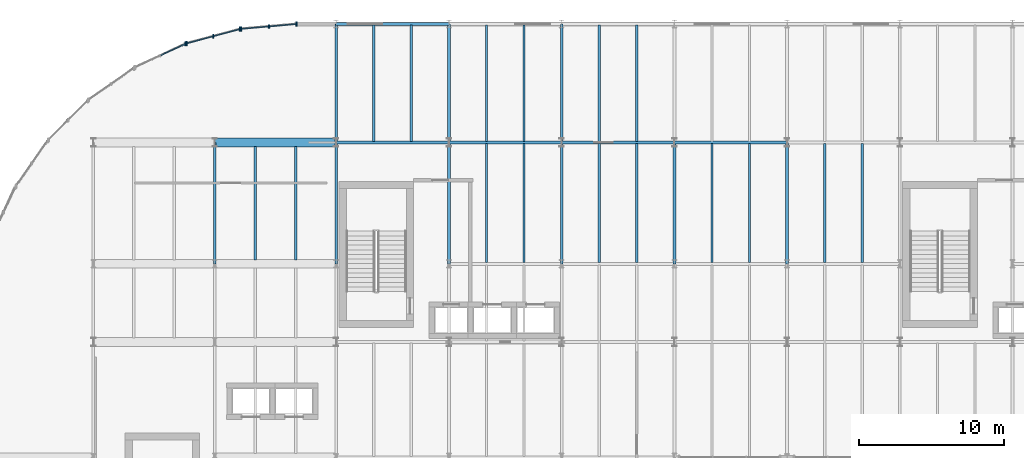
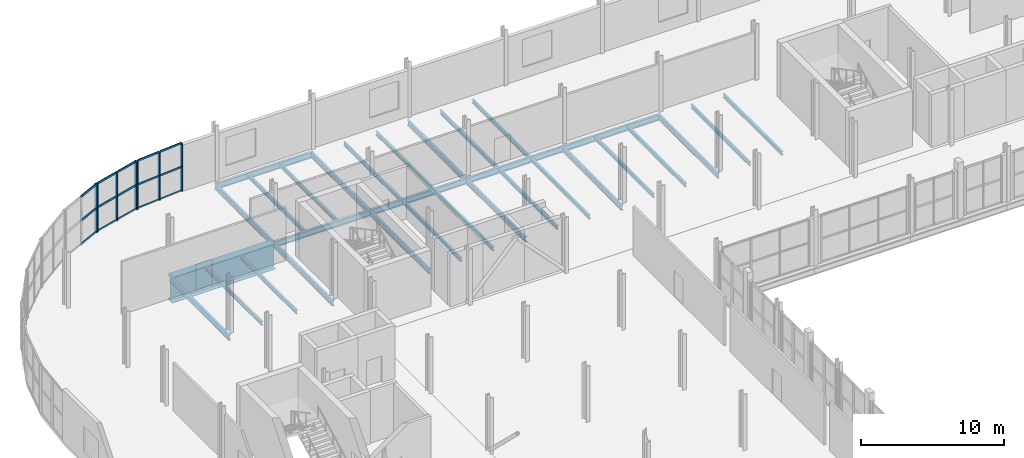
# One storey, part 27 of 63: 31 beams, 22 members, 3 elements without a shape of their own.
"""IFC4 building model written with IfcOpenShell, lengths in metres."""

import ifcopenshell
import ifcopenshell.guid

model = None  # the IFC model being written
_history = None  # IfcOwnerHistory: only IFC2X3 demands one
_inside = {}  # id of a spatial element -> (the spatial element, [elements in it])
_under = {}  # id of a project, library or spatial element -> (it, [spatial elements below it])
_declared = {}  # id of a project -> (the project, [libraries it declares])
_typed = {}  # id of a type object -> (the type object, [elements of that type])
_made_of = {}  # id of a material, layer set ... -> (it, [elements and type objects made of it])


def new_model(schema):
    """Start an empty IFC model of exactly this schema.

    Asked for "IFC4X3", IfcOpenShell would pick the latest addendum, in which some entities
    have other attributes; the version numbers below select the first issue.
    IFC2X3 requires an IfcOwnerHistory on every rooted entity: one is made here for all.
    """
    global model, _history
    if schema == "IFC4X3":
        model = ifcopenshell.file(schema_version=(4, 3, 0, 0))
    else:
        model = ifcopenshell.file(schema=schema)
    _inside.clear()
    _under.clear()
    _declared.clear()
    _typed.clear()
    _made_of.clear()
    _history = None
    if model.schema == "IFC2X3":
        org = make("IfcOrganization", Name="unknown")
        user = make(
            "IfcPersonAndOrganization",
            ThePerson=make("IfcPerson", FamilyName="unknown"),
            TheOrganization=org,
        )
        app = make(
            "IfcApplication",
            ApplicationDeveloper=org,
            Version="unknown",
            ApplicationFullName="unknown",
            ApplicationIdentifier="unknown",
        )
        _history = make(
            "IfcOwnerHistory",
            OwningUser=user,
            OwningApplication=app,
            ChangeAction="ADDED",
            CreationDate=0,
        )
    return model


def make(cls, **values):
    """One entity of the class cls with the attributes given. An attribute that is None is left unset."""
    return model.create_entity(
        cls, **{name: value for name, value in values.items() if value is not None}
    )


def rooted(cls, **values):
    """An entity with a GlobalId (a new one), such as an element, a storey or a relation."""
    return make(cls, GlobalId=ifcopenshell.guid.new(), OwnerHistory=_history, **values)


def si_unit(unit_type, name, prefix=None):
    """IfcSIUnit, for example si_unit("LENGTHUNIT", "METRE", prefix="MILLI")."""
    return make("IfcSIUnit", UnitType=unit_type, Prefix=prefix, Name=name)


def assignment(units):
    """IfcUnitAssignment: the units of a project."""
    return None if units is None else make("IfcUnitAssignment", Units=units)


def point(xyz):
    """IfcCartesianPoint."""
    return None if xyz is None else make("IfcCartesianPoint", Coordinates=xyz)


def direction(xyz):
    """IfcDirection."""
    return None if xyz is None else make("IfcDirection", DirectionRatios=xyz)


def frame(location, z_axis=None, x_axis=None):
    """IfcAxis2Placement3D, a coordinate frame: its origin and axes. An axis left out is left unset."""
    return make(
        "IfcAxis2Placement3D",
        Location=point(location),
        Axis=direction(z_axis),
        RefDirection=direction(x_axis),
    )


def frame_2d(location, x_axis=None):
    """IfcAxis2Placement2D, a coordinate frame in the plane: its origin and x axis."""
    return make(
        "IfcAxis2Placement2D", Location=point(location), RefDirection=direction(x_axis)
    )


def origin():
    """The frame at (0, 0, 0) with its axes left unset."""
    return frame((0.0, 0.0, 0.0))


def origin_2d():
    """The frame at (0, 0) in the plane with its x axis left unset."""
    return frame_2d((0.0, 0.0))


def place(relative_to, where):
    """IfcLocalPlacement: puts the frame where relative to a parent placement (None: the world)."""
    return make(
        "IfcLocalPlacement", PlacementRelTo=relative_to, RelativePlacement=where
    )


def context(
    kind, dimensions, precision=None, world=None, true_north=None, identifier=None
):
    """IfcGeometricRepresentationContext, for example the 3D "Model" context."""
    return make(
        "IfcGeometricRepresentationContext",
        ContextIdentifier=identifier,
        ContextType=kind,
        CoordinateSpaceDimension=dimensions,
        Precision=precision,
        WorldCoordinateSystem=world,
        TrueNorth=true_north,
    )


def subcontext(parent, identifier, kind, view, scale=None):
    """IfcGeometricRepresentationSubContext, for example "Body" below "Model"."""
    return make(
        "IfcGeometricRepresentationSubContext",
        ContextIdentifier=identifier,
        ContextType=kind,
        ParentContext=parent,
        TargetScale=scale,
        TargetView=view,
    )


def project(units=None, contexts=None):
    """IfcProject with its units and contexts."""
    return rooted(
        "IfcProject",
        Name="project",
        RepresentationContexts=contexts,
        UnitsInContext=assignment(units),
    )


def spatial(cls, under=None, at=None, **own):
    """A site, building, storey or space (cls), placed at a placement, below another one or the project."""
    s = rooted(cls, ObjectPlacement=at, **own)
    if under is not None:
        _under.setdefault(under.id(), (under, []))[1].append(s)
    return s


def profile(cls, at=None, kind="AREA", **sizes):
    """A parametric profile (cls). Its sizes go by their IFC names, for example OverallWidth=200.0."""
    return make(cls, ProfileType=kind, Position=at, **sizes)


def rectangle(**sizes):
    """IfcRectangleProfileDef."""
    return profile("IfcRectangleProfileDef", **sizes)


def i_section(**sizes):
    """IfcIShapeProfileDef."""
    return profile("IfcIShapeProfileDef", **sizes)


def extrude(swept, where, along, depth):
    """IfcExtrudedAreaSolid: the profile swept, set in the frame where, extruded along a direction by depth."""
    return make(
        "IfcExtrudedAreaSolid",
        SweptArea=swept,
        Position=where,
        ExtrudedDirection=direction(along),
        Depth=depth,
    )


def shape(context_of_items, identifier, shape_type, items):
    """IfcShapeRepresentation: the items that make up one representation, for example the "Body"."""
    return make(
        "IfcShapeRepresentation",
        ContextOfItems=context_of_items,
        RepresentationIdentifier=identifier,
        RepresentationType=shape_type,
        Items=items,
    )


def material(Name=None, Category=None):
    """IfcMaterial."""
    return make("IfcMaterial", Name=Name, Category=Category)


def layer(
    of_material, thickness, ventilated=None, Name=None, Category=None, Priority=None
):
    """IfcMaterialLayer: one layer of a wall or slab, of a material (None: an air gap)."""
    return make(
        "IfcMaterialLayer",
        Material=of_material,
        LayerThickness=thickness,
        IsVentilated=ventilated,
        Name=Name,
        Category=Category,
        Priority=Priority,
    )


def layer_set(layers, Name=None):
    """IfcMaterialLayerSet."""
    return make("IfcMaterialLayerSet", MaterialLayers=layers, LayerSetName=Name)


def material_profile(
    of_material, cross_section, Name=None, Category=None, Priority=None
):
    """IfcMaterialProfile: a cross section and its material."""
    return make(
        "IfcMaterialProfile",
        Name=Name,
        Material=of_material,
        Profile=cross_section,
        Priority=Priority,
        Category=Category,
    )


def profile_set(profiles, Name=None, composite=None):
    """IfcMaterialProfileSet."""
    return make(
        "IfcMaterialProfileSet",
        Name=Name,
        MaterialProfiles=profiles,
        CompositeProfile=composite,
    )


def made_of(thing, what):
    """Note that an element or type object is made of a material, layer set ...; save() writes the relation."""
    if what is not None:
        _made_of.setdefault(what.id(), (what, []))[1].append(thing)
    return thing


def type_object(cls, material=None, **own):
    """A type object (cls), such as IfcWallType, which elements share."""
    return made_of(rooted(cls, **own), material)


def element(
    cls,
    number,
    at=None,
    inside=None,
    cuts=None,
    type_object=None,
    material=None,
    context=None,
    identifier="Body",
    shape_type=None,
    held_by="IfcProductDefinitionShape",
    body=None,
    shapes=None,
    **own,
):
    """One element of the class cls, such as IfcWall. Its Tag is "e" and its number.

    at: its placement. inside: the storey or other place that contains it. cuts: it is an
    opening in that element (IfcRelVoidsElement). A single representation is given by context,
    identifier, shape_type and body (its items); several are given by shapes. held_by: the class
    of the entity that holds the representations. save() writes the other relations.
    """
    e = rooted(cls, Tag="e%d" % number, ObjectPlacement=at, **own)
    if body is not None:
        shapes = [shape(context, identifier, shape_type, body)]
    if shapes is not None:
        e.Representation = make(held_by, Representations=shapes)
    if inside is not None:
        _inside.setdefault(inside.id(), (inside, []))[1].append(e)
    if cuts is not None:
        rooted(
            "IfcRelVoidsElement", RelatingBuildingElement=cuts, RelatedOpeningElement=e
        )
    if type_object is not None:
        _typed.setdefault(type_object.id(), (type_object, []))[1].append(e)
    return made_of(e, material)


def aggregate(whole, parts):
    """IfcRelAggregates: a whole, such as a stair, and the parts it consists of."""
    return rooted("IfcRelAggregates", RelatingObject=whole, RelatedObjects=parts)


def save(model, path):
    """Write the relations noted so far, then the file.

    IfcRelAggregates (storeys below a building ...), IfcRelContainedInSpatialStructure (elements
    in a storey), IfcRelDefinesByType, IfcRelAssociatesMaterial and IfcRelDeclares: one each for
    every whole, place, type object, material and project.
    """
    for whole, parts in _under.values():
        aggregate(whole, parts)
    for where, things in _inside.values():
        rooted(
            "IfcRelContainedInSpatialStructure",
            RelatedElements=things,
            RelatingStructure=where,
        )
    for kind, things in _typed.values():
        rooted("IfcRelDefinesByType", RelatedObjects=things, RelatingType=kind)
    for what, things in _made_of.values():
        rooted("IfcRelAssociatesMaterial", RelatedObjects=things, RelatingMaterial=what)
    for by, libraries in _declared.values():
        rooted("IfcRelDeclares", RelatingContext=by, RelatedDefinitions=libraries)
    model.write(path)


model = new_model("IFC4")

# Units and contexts
model_context = context("Model", 3, precision=1e-05, world=origin(), true_north=direction((0.0, 1.0)))
body_context = subcontext(model_context, "Body", "Model", "MODEL_VIEW")
ifc_project = project(units=[si_unit("LENGTHUNIT", "METRE"), si_unit("AREAUNIT", "SQUARE_METRE"), si_unit("VOLUMEUNIT", "CUBIC_METRE"), si_unit("PLANEANGLEUNIT", "RADIAN"), si_unit("MASSUNIT", "GRAM", prefix="KILO")], contexts=[model_context])

# Site, building, storey
site_placement = place(None, origin())
site = spatial("IfcSite", under=ifc_project, at=site_placement, CompositionType="ELEMENT")
building_placement = place(site_placement, origin())
building = spatial("IfcBuilding", under=site, at=building_placement, Name="Sefraquen Railside Congress Hotel", CompositionType="ELEMENT")
storey_placement = place(building_placement, frame((0.0, 0.0, 11.39990234375)))
storey = spatial("IfcBuildingStorey", under=building, at=storey_placement, Name="L02", CompositionType="ELEMENT", Elevation=11.39990234375)

# Beams
ifc_material_1 = material(Name="Steel S355JR", Category="steel")
ifc_material_profile_1 = material_profile(ifc_material_1, i_section(OverallWidth=0.18994140625, OverallDepth=0.449951171875, WebThickness=0.009521484375, FlangeThickness=0.0146484375, FilletRadius=0.02099609375, at=origin_2d()), Name="IPE 450")
ifc_profile_set_1 = profile_set([ifc_material_profile_1], Name="Steel S355JR")
beam_type_1 = type_object("IfcBeamType", Name="TB-BM-450", PredefinedType="BEAM", material=ifc_profile_set_1)
for number, where, z_axis, x_axis, name in (
    (1, (16.800048828125, 101.39990234375, -0.574951171875), (0.0, 1.0, 0.0), (-1.0, 0.0, 0.0), "Floor beam BM-L02-0847"),
    (2, (25.199951171875, 101.39990234375, -0.574951171875), (0.0, 1.0, 0.0), (-1.0, 0.0, 0.0), "Floor beam BM-L02-0854"),
):
    element("IfcBeam", number, at=place(storey_placement, frame(where, z_axis=z_axis, x_axis=x_axis)), inside=storey, type_object=beam_type_1, Name=name, PredefinedType="BEAM", context=body_context, shape_type="SweptSolid", body=[
        extrude(i_section(OverallWidth=0.18994140625, OverallDepth=0.449951171875, WebThickness=0.009521484375, FlangeThickness=0.0146484375, FilletRadius=0.02099609375, at=origin_2d()), origin(), (0.0, 0.0, 1.0), 8.400146484375),
    ])
beam_1_placement = place(storey_placement, frame((25.199951171875, 109.800048828125, -0.574951171875), z_axis=(0.0, 1.0, 0.0), x_axis=(-1.0, 0.0, 0.0)))
element("IfcBeam", 3, at=beam_1_placement, inside=storey, type_object=beam_type_1, Name="Floor beam BM-L02-0855", PredefinedType="BEAM", context=body_context, shape_type="SweptSolid", body=[
    extrude(i_section(OverallWidth=0.18994140625, OverallDepth=0.449951171875, WebThickness=0.009521484375, FlangeThickness=0.0146484375, FilletRadius=0.02099609375, at=origin_2d()), origin(), (0.0, 0.0, 1.0), 8.199951171875),
])
beam_2_placement = place(storey_placement, frame((33.0, 101.39990234375, -0.574951171875), z_axis=(0.0, 1.0, 0.0), x_axis=(-1.0, 0.0, 0.0)))
element("IfcBeam", 4, at=beam_2_placement, inside=storey, type_object=beam_type_1, Name="Floor beam BM-L02-0866", PredefinedType="BEAM", context=body_context, shape_type="SweptSolid", body=[
    extrude(i_section(OverallWidth=0.18994140625, OverallDepth=0.449951171875, WebThickness=0.009521484375, FlangeThickness=0.0146484375, FilletRadius=0.02099609375, at=origin_2d()), origin(), (0.0, 0.0, 1.0), 8.400146484375),
])
beam_3_placement = place(storey_placement, frame((33.0, 109.800048828125, -0.574951171875), z_axis=(0.0, 1.0, 0.0), x_axis=(-1.0, 0.0, 0.0)))
element("IfcBeam", 5, at=beam_3_placement, inside=storey, type_object=beam_type_1, Name="Floor beam BM-L02-0867", PredefinedType="BEAM", context=body_context, shape_type="SweptSolid", body=[
    extrude(i_section(OverallWidth=0.18994140625, OverallDepth=0.449951171875, WebThickness=0.009521484375, FlangeThickness=0.0146484375, FilletRadius=0.02099609375, at=origin_2d()), origin(), (0.0, 0.0, 1.0), 8.199951171875),
])
beam_4_placement = place(storey_placement, frame((40.800048828125, 101.39990234375, -0.574951171875), z_axis=(0.0, 1.0, 0.0), x_axis=(-1.0, 0.0, 0.0)))
element("IfcBeam", 6, at=beam_4_placement, inside=storey, type_object=beam_type_1, Name="Floor beam BM-L02-0878", PredefinedType="BEAM", context=body_context, shape_type="SweptSolid", body=[
    extrude(i_section(OverallWidth=0.18994140625, OverallDepth=0.449951171875, WebThickness=0.009521484375, FlangeThickness=0.0146484375, FilletRadius=0.02099609375, at=origin_2d()), origin(), (0.0, 0.0, 1.0), 8.400146484375),
])
beam_5_placement = place(storey_placement, frame((40.800048828125, 109.800048828125, -0.574951171875), z_axis=(0.0, 1.0, 0.0), x_axis=(-1.0, 0.0, 0.0)))
element("IfcBeam", 7, at=beam_5_placement, inside=storey, type_object=beam_type_1, Name="Floor beam BM-L02-0879", PredefinedType="BEAM", context=body_context, shape_type="SweptSolid", body=[
    extrude(i_section(OverallWidth=0.18994140625, OverallDepth=0.449951171875, WebThickness=0.009521484375, FlangeThickness=0.0146484375, FilletRadius=0.02099609375, at=origin_2d()), origin(), (0.0, 0.0, 1.0), 8.199951171875),
])
for number, where, z_axis, x_axis, name in (
    (8, (48.60009765625, 101.39990234375, -0.574951171875), (0.0, 1.0, 0.0), (-1.0, 0.0, 0.0), "Floor beam BM-L02-0887"),
    (9, (56.39990234375, 101.39990234375, -0.574951171875), (0.0, 1.0, 0.0), (-1.0, 0.0, 0.0), "Floor beam BM-L02-0891"),
):
    element("IfcBeam", number, at=place(storey_placement, frame(where, z_axis=z_axis, x_axis=x_axis)), inside=storey, type_object=beam_type_1, Name=name, PredefinedType="BEAM", context=body_context, shape_type="SweptSolid", body=[
        extrude(i_section(OverallWidth=0.18994140625, OverallDepth=0.449951171875, WebThickness=0.009521484375, FlangeThickness=0.0146484375, FilletRadius=0.02099609375, at=origin_2d()), origin(), (0.0, 0.0, 1.0), 8.400146484375),
    ])
ifc_material_profile_2 = material_profile(ifc_material_1, i_section(OverallWidth=0.199951171875, OverallDepth=0.5, WebThickness=0.01025390625, FlangeThickness=0.01611328125, FilletRadius=0.02099609375, at=origin_2d()), Name="IPE 500")
ifc_profile_set_2 = profile_set([ifc_material_profile_2], Name="Steel S355JR")
beam_type_2 = type_object("IfcBeamType", Name="TB-BM-500", PredefinedType="BEAM", material=ifc_profile_set_2)
for number, where, z_axis, x_axis, name in (
    (10, (25.199951171875, 109.800048828125, -0.599853515625), (1.0, 0.0, 0.0), (0.0, 1.0, 0.0), "Primary girder BM-L02-0809"),
    (11, (33.0, 109.800048828125, -0.599853515625), (1.0, 0.0, 0.0), (0.0, 1.0, 0.0), "Primary girder BM-L02-0810"),
    (12, (40.800048828125, 109.800048828125, -0.599853515625), (1.0, 0.0, 0.0), (0.0, 1.0, 0.0), "Primary girder BM-L02-0811"),
):
    element("IfcBeam", number, at=place(storey_placement, frame(where, z_axis=z_axis, x_axis=x_axis)), inside=storey, type_object=beam_type_2, Name=name, PredefinedType="BEAM", context=body_context, shape_type="SweptSolid", body=[
        extrude(i_section(OverallWidth=0.199951171875, OverallDepth=0.5, WebThickness=0.01025390625, FlangeThickness=0.01611328125, FilletRadius=0.02099609375, at=origin_2d()), origin(), (0.0, 0.0, 1.0), 7.800048828125),
    ])
beam_6_placement = place(storey_placement, frame((48.60009765625, 109.800048828125, -0.599853515625), z_axis=(1.0, 0.0, 0.0), x_axis=(0.0, 1.0, 0.0)))
element("IfcBeam", 13, at=beam_6_placement, inside=storey, type_object=beam_type_2, Name="Primary girder BM-L02-0812", PredefinedType="BEAM", context=body_context, shape_type="SweptSolid", body=[
    extrude(i_section(OverallWidth=0.199951171875, OverallDepth=0.5, WebThickness=0.01025390625, FlangeThickness=0.01611328125, FilletRadius=0.02099609375, at=origin_2d()), origin(), (0.0, 0.0, 1.0), 7.7998046875),
])
beam_7_placement = place(storey_placement, frame((25.199951171875, 118.0, -0.599853515625), z_axis=(1.0, 0.0, 0.0), x_axis=(0.0, 1.0, 0.0)))
element("IfcBeam", 14, at=beam_7_placement, inside=storey, type_object=beam_type_2, Name="Primary girder BM-L02-0821", PredefinedType="BEAM", context=body_context, shape_type="SweptSolid", body=[
    extrude(i_section(OverallWidth=0.199951171875, OverallDepth=0.5, WebThickness=0.01025390625, FlangeThickness=0.01611328125, FilletRadius=0.02099609375, at=origin_2d()), origin(), (0.0, 0.0, 1.0), 7.800048828125),
])
ifc_material_profile_3 = material_profile(ifc_material_1, i_section(OverallWidth=0.159912109375, OverallDepth=0.330078125, WebThickness=0.007568359375, FlangeThickness=0.011474609375, FilletRadius=0.01806640625, at=origin_2d()), Name="IPE 330")
ifc_profile_set_3 = profile_set([ifc_material_profile_3], Name="Steel S355JR")
beam_type_3 = type_object("IfcBeamType", Name="TB-JST-330", PredefinedType="JOIST", material=ifc_profile_set_3)
for number, where, z_axis, x_axis, name in (
    (15, (19.60009765625, 101.679931640625, -0.514892578125), (0.0, 1.0, 0.0), (-1.0, 0.0, 0.0), "Composite floor joist BM-L02-J0446"),
    (16, (22.39990234375, 101.679931640625, -0.514892578125), (0.0, 1.0, 0.0), (-1.0, 0.0, 0.0), "Composite floor joist BM-L02-J0447"),
):
    element("IfcBeam", number, at=place(storey_placement, frame(where, z_axis=z_axis, x_axis=x_axis)), inside=storey, type_object=beam_type_3, Name=name, PredefinedType="JOIST", context=body_context, shape_type="SweptSolid", body=[
        extrude(i_section(OverallWidth=0.159912109375, OverallDepth=0.330078125, WebThickness=0.007568359375, FlangeThickness=0.011474609375, FilletRadius=0.01806640625, at=origin_2d()), origin(), (0.0, 0.0, 1.0), 7.840087890625),
    ])
for number, where, z_axis, x_axis, name in (
    (17, (27.800048828125, 109.8798828125, -0.514892578125), (0.0, 1.0, 0.0), (-1.0, 0.0, 0.0), "Composite floor joist BM-L02-J0456"),
    (18, (30.39990234375, 109.8798828125, -0.514892578125), (0.0, 1.0, 0.0), (-1.0, 0.0, 0.0), "Composite floor joist BM-L02-J0457"),
):
    element("IfcBeam", number, at=place(storey_placement, frame(where, z_axis=z_axis, x_axis=x_axis)), inside=storey, type_object=beam_type_3, Name=name, PredefinedType="JOIST", context=body_context, shape_type="SweptSolid", body=[
        extrude(i_section(OverallWidth=0.159912109375, OverallDepth=0.330078125, WebThickness=0.007568359375, FlangeThickness=0.011474609375, FilletRadius=0.01806640625, at=origin_2d()), origin(), (0.0, 0.0, 1.0), 8.0400390625),
    ])
for number, where, z_axis, x_axis, name in (
    (19, (35.60009765625, 101.47998046875, -0.514892578125), (0.0, 1.0, 0.0), (-1.0, 0.0, 0.0), "Composite floor joist BM-L02-J0478"),
    (20, (38.199951171875, 101.47998046875, -0.514892578125), (0.0, 1.0, 0.0), (-1.0, 0.0, 0.0), "Composite floor joist BM-L02-J0479"),
):
    element("IfcBeam", number, at=place(storey_placement, frame(where, z_axis=z_axis, x_axis=x_axis)), inside=storey, type_object=beam_type_3, Name=name, PredefinedType="JOIST", context=body_context, shape_type="SweptSolid", body=[
        extrude(i_section(OverallWidth=0.159912109375, OverallDepth=0.330078125, WebThickness=0.007568359375, FlangeThickness=0.011474609375, FilletRadius=0.01806640625, at=origin_2d()), origin(), (0.0, 0.0, 1.0), 8.239990234375),
    ])
for number, where, z_axis, x_axis, name in (
    (21, (35.60009765625, 109.8798828125, -0.514892578125), (0.0, 1.0, 0.0), (-1.0, 0.0, 0.0), "Composite floor joist BM-L02-J0480"),
    (22, (38.199951171875, 109.8798828125, -0.514892578125), (0.0, 1.0, 0.0), (-1.0, 0.0, 0.0), "Composite floor joist BM-L02-J0481"),
):
    element("IfcBeam", number, at=place(storey_placement, frame(where, z_axis=z_axis, x_axis=x_axis)), inside=storey, type_object=beam_type_3, Name=name, PredefinedType="JOIST", context=body_context, shape_type="SweptSolid", body=[
        extrude(i_section(OverallWidth=0.159912109375, OverallDepth=0.330078125, WebThickness=0.007568359375, FlangeThickness=0.011474609375, FilletRadius=0.01806640625, at=origin_2d()), origin(), (0.0, 0.0, 1.0), 8.0400390625),
    ])
for number, where, z_axis, x_axis, name in (
    (23, (43.39990234375, 101.47998046875, -0.514892578125), (0.0, 1.0, 0.0), (-1.0, 0.0, 0.0), "Composite floor joist BM-L02-J0496"),
    (24, (46.0, 101.47998046875, -0.514892578125), (0.0, 1.0, 0.0), (-1.0, 0.0, 0.0), "Composite floor joist BM-L02-J0497"),
):
    element("IfcBeam", number, at=place(storey_placement, frame(where, z_axis=z_axis, x_axis=x_axis)), inside=storey, type_object=beam_type_3, Name=name, PredefinedType="JOIST", context=body_context, shape_type="SweptSolid", body=[
        extrude(i_section(OverallWidth=0.159912109375, OverallDepth=0.330078125, WebThickness=0.007568359375, FlangeThickness=0.011474609375, FilletRadius=0.01806640625, at=origin_2d()), origin(), (0.0, 0.0, 1.0), 8.239990234375),
    ])
for number, where, z_axis, x_axis, name in (
    (25, (43.39990234375, 109.8798828125, -0.514892578125), (0.0, 1.0, 0.0), (-1.0, 0.0, 0.0), "Composite floor joist BM-L02-J0498"),
    (26, (46.0, 109.8798828125, -0.514892578125), (0.0, 1.0, 0.0), (-1.0, 0.0, 0.0), "Composite floor joist BM-L02-J0499"),
):
    element("IfcBeam", number, at=place(storey_placement, frame(where, z_axis=z_axis, x_axis=x_axis)), inside=storey, type_object=beam_type_3, Name=name, PredefinedType="JOIST", context=body_context, shape_type="SweptSolid", body=[
        extrude(i_section(OverallWidth=0.159912109375, OverallDepth=0.330078125, WebThickness=0.007568359375, FlangeThickness=0.011474609375, FilletRadius=0.01806640625, at=origin_2d()), origin(), (0.0, 0.0, 1.0), 8.0400390625),
    ])
for number, where, z_axis, x_axis, name in (
    (27, (51.199951171875, 101.47998046875, -0.514892578125), (0.0, 1.0, 0.0), (-1.0, 0.0, 0.0), "Composite floor joist BM-L02-J0504"),
    (28, (53.800048828125, 101.47998046875, -0.514892578125), (0.0, 1.0, 0.0), (-1.0, 0.0, 0.0), "Composite floor joist BM-L02-J0505"),
    (29, (59.0, 101.47998046875, -0.514892578125), (0.0, 1.0, 0.0), (-1.0, 0.0, 0.0), "Composite floor joist BM-L02-J0512"),
    (30, (61.60009765625, 101.47998046875, -0.514892578125), (0.0, 1.0, 0.0), (-1.0, 0.0, 0.0), "Composite floor joist BM-L02-J0513"),
):
    element("IfcBeam", number, at=place(storey_placement, frame(where, z_axis=z_axis, x_axis=x_axis)), inside=storey, type_object=beam_type_3, Name=name, PredefinedType="JOIST", context=body_context, shape_type="SweptSolid", body=[
        extrude(i_section(OverallWidth=0.159912109375, OverallDepth=0.330078125, WebThickness=0.007568359375, FlangeThickness=0.011474609375, FilletRadius=0.01806640625, at=origin_2d()), origin(), (0.0, 0.0, 1.0), 8.239990234375),
    ])
ifc_material_2 = material(Name="Steel S355J2", Category="steel")
ifc_material_profile_4 = material_profile(ifc_material_2, i_section(OverallWidth=0.60009765625, OverallDepth=2.199951171875, WebThickness=0.028076171875, FlangeThickness=0.050048828125, at=origin_2d()), Name="WG 2200x600")
ifc_profile_set_4 = profile_set([ifc_material_profile_4], Name="Steel S355J2")
beam_type_4 = type_object("IfcBeamType", Name="TB-TG-2200", PredefinedType="USERDEFINED", material=ifc_profile_set_4)
beam_8_placement = place(storey_placement, frame((16.800048828125, 109.800048828125, -1.449951171875), z_axis=(1.0, 0.0, 0.0), x_axis=(0.0, 1.0, 0.0)))
element("IfcBeam", 31, at=beam_8_placement, inside=storey, type_object=beam_type_4, Name="Transfer girder BM-L02-0808", ObjectType="TRANSFER GIRDER", PredefinedType="USERDEFINED", context=body_context, shape_type="SweptSolid", body=[
    extrude(i_section(OverallWidth=0.60009765625, OverallDepth=2.199951171875, WebThickness=0.028076171875, FlangeThickness=0.050048828125, at=origin_2d()), origin(), (0.0, 0.0, 1.0), 8.39990234375),
])

# Curtain wall, member
ifc_material_3 = material(Name="Thermally broken anodised aluminium and low-E double glazing", Category="aluminium")
ifc_layer_1 = layer(ifc_material_3, 0.199951171875)
ifc_layer_set_1 = layer_set([ifc_layer_1], Name="Thermally broken anodised aluminium and low-E double glazing")
curtain_wall_type_1 = type_object("IfcCurtainWallType", Name="TCW-UCW-19", PredefinedType="USERDEFINED", material=ifc_layer_set_1)
curtain_wall_1_placement = place(storey_placement, origin())
curtain_wall_1 = element("IfcCurtainWall", 32, at=curtain_wall_1_placement, inside=storey, type_object=curtain_wall_type_1, Name="Rotunda L02 curved curtain wall facet 1", ObjectType="UNITISED CURTAIN WALL", PredefinedType="USERDEFINED")
ifc_material_4 = material(Name="Thermally broken anodised aluminium 6063-T6", Category="aluminium")
ifc_material_profile_5 = material_profile(ifc_material_4, rectangle(XDim=0.0849609375, YDim=0.260009765625, at=origin_2d()), Name="CWM 85x260")
ifc_profile_set_5 = profile_set([ifc_material_profile_5], Name="Thermally broken anodised aluminium 6063-T6")
member_type_1 = type_object("IfcMemberType", Name="TM-CWM-06", PredefinedType="MULLION", material=ifc_profile_set_5)
member_1_placement = place(storey_placement, frame((20.54638671875, 117.8291015625, 0.0), z_axis=(0.0, 0.0, 1.0), x_axis=(1.0, 0.0, 0.0)))
member_1 = element("IfcMember", 33, at=member_1_placement, type_object=member_type_1, Name="CW-L02-ROT-01 mullion 2", PredefinedType="MULLION", context=body_context, shape_type="SweptSolid", body=[
    extrude(rectangle(XDim=0.0849609375, YDim=0.260009765625, at=origin_2d()), origin(), (0.0, 0.0, 1.0), 4.070068359375),
])

ifc_layer_2 = layer(ifc_material_3, 0.199951171875)
ifc_layer_set_2 = layer_set([ifc_layer_2], Name="Thermally broken anodised aluminium and low-E double glazing")
curtain_wall_type_2 = type_object("IfcCurtainWallType", Name="TCW-UCW-20", PredefinedType="USERDEFINED", material=ifc_layer_set_2)
curtain_wall_2_placement = place(storey_placement, origin())
curtain_wall_2 = element("IfcCurtainWall", 34, at=curtain_wall_2_placement, inside=storey, type_object=curtain_wall_type_2, Name="Rotunda L02 curved curtain wall facet 2", ObjectType="UNITISED CURTAIN WALL", PredefinedType="USERDEFINED")
ifc_material_profile_6 = material_profile(ifc_material_4, rectangle(XDim=0.090087890625, YDim=0.280029296875, at=origin_2d()), Name="CWM 90x280")
ifc_profile_set_6 = profile_set([ifc_material_profile_6], Name="Thermally broken anodised aluminium 6063-T6")
member_type_2 = type_object("IfcMemberType", Name="TM-CWM-07", PredefinedType="MULLION", material=ifc_profile_set_6)
member_2_placement = place(storey_placement, frame((16.69873046875, 117.150634765625, 0.0), z_axis=(0.0, 0.0, 1.0), x_axis=(1.0, 0.0, 0.0)))
member_2 = element("IfcMember", 35, at=member_2_placement, type_object=member_type_2, Name="CW-L02-ROT-02 mullion 2", PredefinedType="MULLION", context=body_context, shape_type="SweptSolid", body=[
    extrude(rectangle(XDim=0.090087890625, YDim=0.280029296875, at=origin_2d()), origin(), (0.0, 0.0, 1.0), 4.070068359375),
])

# Member
ifc_material_profile_7 = material_profile(ifc_material_4, rectangle(XDim=0.094970703125, YDim=0.300048828125, at=origin_2d()), Name="CWM 95x300")
ifc_profile_set_7 = profile_set([ifc_material_profile_7], Name="Thermally broken anodised aluminium 6063-T6")
member_type_3 = type_object("IfcMemberType", Name="TM-CWM-08", PredefinedType="MULLION", material=ifc_profile_set_7)
member_3_placement = place(storey_placement, frame((22.460205078125, 117.99658203125, 0.0), z_axis=(0.0, 0.0, 1.0), x_axis=(1.0, 0.0, 0.0)))
member_3 = element("IfcMember", 36, at=member_3_placement, type_object=member_type_3, Name="CW-L02-ROT-01 mullion 1", PredefinedType="MULLION", context=body_context, shape_type="SweptSolid", body=[
    extrude(rectangle(XDim=0.094970703125, YDim=0.300048828125, at=origin_2d()), origin(), (0.0, 0.0, 1.0), 4.070068359375),
])

member_4_placement = place(storey_placement, frame((18.6328125, 117.66162109375, 0.0), z_axis=(0.0, 0.0, 1.0), x_axis=(1.0, 0.0, 0.0)))
member_4 = element("IfcMember", 37, at=member_4_placement, type_object=member_type_3, Name="CW-L02-ROT-01 mullion 3", PredefinedType="MULLION", context=body_context, shape_type="SweptSolid", body=[
    extrude(rectangle(XDim=0.094970703125, YDim=0.300048828125, at=origin_2d()), origin(), (0.0, 0.0, 1.0), 4.070068359375),
])

member_5_placement = place(storey_placement, frame((18.55419921875, 117.647705078125, 0.0), z_axis=(0.0, 0.0, 1.0), x_axis=(1.0, 0.0, 0.0)))
member_5 = element("IfcMember", 38, at=member_5_placement, type_object=member_type_3, Name="CW-L02-ROT-02 mullion 1", PredefinedType="MULLION", context=body_context, shape_type="SweptSolid", body=[
    extrude(rectangle(XDim=0.094970703125, YDim=0.300048828125, at=origin_2d()), origin(), (0.0, 0.0, 1.0), 4.070068359375),
])

member_6_placement = place(storey_placement, frame((14.843017578125, 116.653564453125, 0.0), z_axis=(0.0, 0.0, 1.0), x_axis=(1.0, 0.0, 0.0)))
member_6 = element("IfcMember", 39, at=member_6_placement, type_object=member_type_3, Name="CW-L02-ROT-02 mullion 3", PredefinedType="MULLION", context=body_context, shape_type="SweptSolid", body=[
    extrude(rectangle(XDim=0.094970703125, YDim=0.300048828125, at=origin_2d()), origin(), (0.0, 0.0, 1.0), 4.070068359375),
])

# Curtain wall, member
ifc_layer_3 = layer(ifc_material_3, 0.199951171875)
ifc_layer_set_3 = layer_set([ifc_layer_3], Name="Thermally broken anodised aluminium and low-E double glazing")
curtain_wall_type_3 = type_object("IfcCurtainWallType", Name="TCW-UCW-21", PredefinedType="USERDEFINED", material=ifc_layer_set_3)
curtain_wall_3_placement = place(storey_placement, origin())
curtain_wall_3 = element("IfcCurtainWall", 40, at=curtain_wall_3_placement, inside=storey, type_object=curtain_wall_type_3, Name="Rotunda L02 curved curtain wall facet 3", ObjectType="UNITISED CURTAIN WALL", PredefinedType="USERDEFINED")
member_7_placement = place(storey_placement, frame((14.768310546875, 116.626220703125, 0.0), z_axis=(0.0, 0.0, 1.0), x_axis=(1.0, 0.0, 0.0)))
member_7 = element("IfcMember", 41, at=member_7_placement, type_object=member_type_3, Name="CW-L02-ROT-03 mullion 1", PredefinedType="MULLION", context=body_context, shape_type="SweptSolid", body=[
    extrude(rectangle(XDim=0.094970703125, YDim=0.300048828125, at=origin_2d()), origin(), (0.0, 0.0, 1.0), 4.070068359375),
])

# Member
ifc_material_profile_8 = material_profile(ifc_material_4, rectangle(XDim=0.070068359375, YDim=0.14990234375, at=origin_2d()), Name="CWT 70x150")
ifc_profile_set_8 = profile_set([ifc_material_profile_8], Name="Thermally broken anodised aluminium 6063-T6")
member_type_4 = type_object("IfcMemberType", Name="TM-CWT-03", PredefinedType="USERDEFINED", material=ifc_profile_set_8)
member_8_placement = place(storey_placement, frame((22.415283203125, 117.99267578125, 0.0), z_axis=(-0.996190387898, -0.08720499447, 0.0), x_axis=(0.08720499447, -0.996190387898, 0.0)))
member_8 = element("IfcMember", 42, at=member_8_placement, type_object=member_type_4, Name="CW-L02-ROT-01 transom 1.1", ObjectType="TRANSOM", PredefinedType="USERDEFINED", context=body_context, shape_type="SweptSolid", body=[
    extrude(rectangle(XDim=0.070068359375, YDim=0.14990234375, at=origin_2d()), origin(), (0.0, 0.0, 1.0), 1.8310546875),
])

member_9_placement = place(storey_placement, frame((20.501708984375, 117.8251953125, 0.0), z_axis=(-0.996191401715, -0.087193412302, 0.0), x_axis=(0.087193412302, -0.996191401715, 0.0)))
member_9 = element("IfcMember", 43, at=member_9_placement, type_object=member_type_4, Name="CW-L02-ROT-01 transom 1.2", ObjectType="TRANSOM", PredefinedType="USERDEFINED", context=body_context, shape_type="SweptSolid", body=[
    extrude(rectangle(XDim=0.070068359375, YDim=0.14990234375, at=origin_2d()), origin(), (0.0, 0.0, 1.0), 1.831298828125),
])

member_10_placement = place(storey_placement, frame((22.415283203125, 117.99267578125, 2.03515625), z_axis=(-0.996190387898, -0.08720499447, 0.0), x_axis=(0.08720499447, -0.996190387898, 0.0)))
member_10 = element("IfcMember", 44, at=member_10_placement, type_object=member_type_4, Name="CW-L02-ROT-01 transom 2.1", ObjectType="TRANSOM", PredefinedType="USERDEFINED", context=body_context, shape_type="SweptSolid", body=[
    extrude(rectangle(XDim=0.070068359375, YDim=0.14990234375, at=origin_2d()), origin(), (0.0, 0.0, 1.0), 1.8310546875),
])

member_11_placement = place(storey_placement, frame((20.501708984375, 117.8251953125, 2.03515625), z_axis=(-0.996191401715, -0.087193412302, 0.0), x_axis=(0.087193412302, -0.996191401715, 0.0)))
member_11 = element("IfcMember", 45, at=member_11_placement, type_object=member_type_4, Name="CW-L02-ROT-01 transom 2.2", ObjectType="TRANSOM", PredefinedType="USERDEFINED", context=body_context, shape_type="SweptSolid", body=[
    extrude(rectangle(XDim=0.070068359375, YDim=0.14990234375, at=origin_2d()), origin(), (0.0, 0.0, 1.0), 1.831298828125),
])

member_12_placement = place(storey_placement, frame((22.415283203125, 117.99267578125, 4.070068359375), z_axis=(-0.996190387898, -0.08720499447, 0.0), x_axis=(0.08720499447, -0.996190387898, 0.0)))
member_12 = element("IfcMember", 46, at=member_12_placement, type_object=member_type_4, Name="CW-L02-ROT-01 transom 3.1", ObjectType="TRANSOM", PredefinedType="USERDEFINED", context=body_context, shape_type="SweptSolid", body=[
    extrude(rectangle(XDim=0.070068359375, YDim=0.14990234375, at=origin_2d()), origin(), (0.0, 0.0, 1.0), 1.8310546875),
])

member_13_placement = place(storey_placement, frame((20.501708984375, 117.8251953125, 4.070068359375), z_axis=(-0.996191401715, -0.087193412302, 0.0), x_axis=(0.087193412302, -0.996191401715, 0.0)))
member_13 = element("IfcMember", 47, at=member_13_placement, type_object=member_type_4, Name="CW-L02-ROT-01 transom 3.2", ObjectType="TRANSOM", PredefinedType="USERDEFINED", context=body_context, shape_type="SweptSolid", body=[
    extrude(rectangle(XDim=0.070068359375, YDim=0.14990234375, at=origin_2d()), origin(), (0.0, 0.0, 1.0), 1.831298828125),
])

aggregate(curtain_wall_1, [member_3, member_1, member_4, member_8, member_9, member_10, member_11, member_12, member_13])

ifc_material_profile_9 = material_profile(ifc_material_4, rectangle(XDim=0.074951171875, YDim=0.1650390625, at=origin_2d()), Name="CWT 75x165")
ifc_profile_set_9 = profile_set([ifc_material_profile_9], Name="Thermally broken anodised aluminium 6063-T6")
member_type_5 = type_object("IfcMemberType", Name="TM-CWT-04", PredefinedType="USERDEFINED", material=ifc_profile_set_9)
member_14_placement = place(storey_placement, frame((18.5107421875, 117.63623046875, 0.0), z_axis=(-0.965893282759, -0.25894046868, 0.0), x_axis=(0.25894046868, -0.965893282759, 0.0)))
member_14 = element("IfcMember", 48, at=member_14_placement, type_object=member_type_5, Name="CW-L02-ROT-02 transom 1.1", ObjectType="TRANSOM", PredefinedType="USERDEFINED", context=body_context, shape_type="SweptSolid", body=[
    extrude(rectangle(XDim=0.074951171875, YDim=0.1650390625, at=origin_2d()), origin(), (0.0, 0.0, 1.0), 1.8310546875),
])

member_15_placement = place(storey_placement, frame((16.6552734375, 117.138916015625, 0.0), z_axis=(-0.965926624666, -0.258816065499, 0.0), x_axis=(0.258816065499, -0.965926624666, 0.0)))
member_15 = element("IfcMember", 49, at=member_15_placement, type_object=member_type_5, Name="CW-L02-ROT-02 transom 1.2", ObjectType="TRANSOM", PredefinedType="USERDEFINED", context=body_context, shape_type="SweptSolid", body=[
    extrude(rectangle(XDim=0.074951171875, YDim=0.1650390625, at=origin_2d()), origin(), (0.0, 0.0, 1.0), 1.8310546875),
])

member_16_placement = place(storey_placement, frame((18.5107421875, 117.63623046875, 2.03515625), z_axis=(-0.965893282759, -0.25894046868, 0.0), x_axis=(0.25894046868, -0.965893282759, 0.0)))
member_16 = element("IfcMember", 50, at=member_16_placement, type_object=member_type_5, Name="CW-L02-ROT-02 transom 2.1", ObjectType="TRANSOM", PredefinedType="USERDEFINED", context=body_context, shape_type="SweptSolid", body=[
    extrude(rectangle(XDim=0.074951171875, YDim=0.1650390625, at=origin_2d()), origin(), (0.0, 0.0, 1.0), 1.8310546875),
])

member_17_placement = place(storey_placement, frame((16.6552734375, 117.138916015625, 2.03515625), z_axis=(-0.965926624666, -0.258816065499, 0.0), x_axis=(0.258816065499, -0.965926624666, 0.0)))
member_17 = element("IfcMember", 51, at=member_17_placement, type_object=member_type_5, Name="CW-L02-ROT-02 transom 2.2", ObjectType="TRANSOM", PredefinedType="USERDEFINED", context=body_context, shape_type="SweptSolid", body=[
    extrude(rectangle(XDim=0.074951171875, YDim=0.1650390625, at=origin_2d()), origin(), (0.0, 0.0, 1.0), 1.8310546875),
])

member_18_placement = place(storey_placement, frame((18.5107421875, 117.63623046875, 4.070068359375), z_axis=(-0.965893282759, -0.25894046868, 0.0), x_axis=(0.25894046868, -0.965893282759, 0.0)))
member_18 = element("IfcMember", 52, at=member_18_placement, type_object=member_type_5, Name="CW-L02-ROT-02 transom 3.1", ObjectType="TRANSOM", PredefinedType="USERDEFINED", context=body_context, shape_type="SweptSolid", body=[
    extrude(rectangle(XDim=0.074951171875, YDim=0.1650390625, at=origin_2d()), origin(), (0.0, 0.0, 1.0), 1.8310546875),
])

member_19_placement = place(storey_placement, frame((16.6552734375, 117.138916015625, 4.070068359375), z_axis=(-0.965926624666, -0.258816065499, 0.0), x_axis=(0.258816065499, -0.965926624666, 0.0)))
member_19 = element("IfcMember", 53, at=member_19_placement, type_object=member_type_5, Name="CW-L02-ROT-02 transom 3.2", ObjectType="TRANSOM", PredefinedType="USERDEFINED", context=body_context, shape_type="SweptSolid", body=[
    extrude(rectangle(XDim=0.074951171875, YDim=0.1650390625, at=origin_2d()), origin(), (0.0, 0.0, 1.0), 1.8310546875),
])

aggregate(curtain_wall_2, [member_5, member_2, member_6, member_14, member_15, member_16, member_17, member_18, member_19])

ifc_material_profile_10 = material_profile(ifc_material_4, rectangle(XDim=0.080078125, YDim=0.179931640625, at=origin_2d()), Name="CWT 80x180")
ifc_profile_set_10 = profile_set([ifc_material_profile_10], Name="Thermally broken anodised aluminium 6063-T6")
member_type_6 = type_object("IfcMemberType", Name="TM-CWT-05", PredefinedType="USERDEFINED", material=ifc_profile_set_10)
member_20_placement = place(storey_placement, frame((14.727294921875, 116.607177734375, 0.0), z_axis=(-0.906309158253, -0.422615321145, 0.0), x_axis=(0.422615321145, -0.906309158253, 0.0)))
member_20 = element("IfcMember", 54, at=member_20_placement, type_object=member_type_6, Name="CW-L02-ROT-03 transom 1.1", ObjectType="TRANSOM", PredefinedType="USERDEFINED", context=body_context, shape_type="SweptSolid", body=[
    extrude(rectangle(XDim=0.080078125, YDim=0.179931640625, at=origin_2d()), origin(), (0.0, 0.0, 1.0), 1.830810546875),
])

member_21_placement = place(storey_placement, frame((14.727294921875, 116.607177734375, 2.03515625), z_axis=(-0.906309158253, -0.422615321145, 0.0), x_axis=(0.422615321145, -0.906309158253, 0.0)))
member_21 = element("IfcMember", 55, at=member_21_placement, type_object=member_type_6, Name="CW-L02-ROT-03 transom 2.1", ObjectType="TRANSOM", PredefinedType="USERDEFINED", context=body_context, shape_type="SweptSolid", body=[
    extrude(rectangle(XDim=0.080078125, YDim=0.179931640625, at=origin_2d()), origin(), (0.0, 0.0, 1.0), 1.830810546875),
])

member_22_placement = place(storey_placement, frame((14.727294921875, 116.607177734375, 4.070068359375), z_axis=(-0.906309158253, -0.422615321145, 0.0), x_axis=(0.422615321145, -0.906309158253, 0.0)))
member_22 = element("IfcMember", 56, at=member_22_placement, type_object=member_type_6, Name="CW-L02-ROT-03 transom 3.1", ObjectType="TRANSOM", PredefinedType="USERDEFINED", context=body_context, shape_type="SweptSolid", body=[
    extrude(rectangle(XDim=0.080078125, YDim=0.179931640625, at=origin_2d()), origin(), (0.0, 0.0, 1.0), 1.830810546875),
])

aggregate(curtain_wall_3, [member_7, member_20, member_21, member_22])

save(model, "model.ifc")
